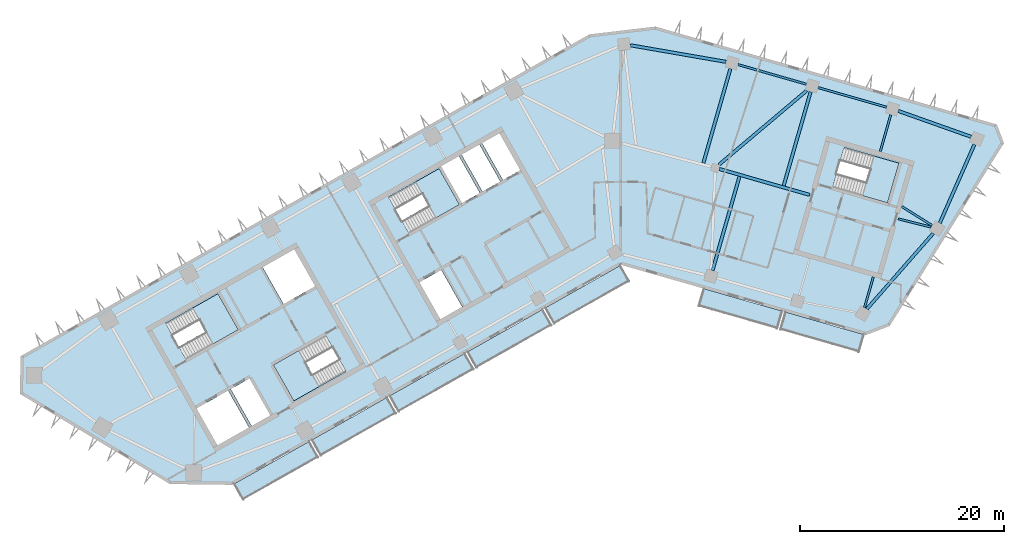
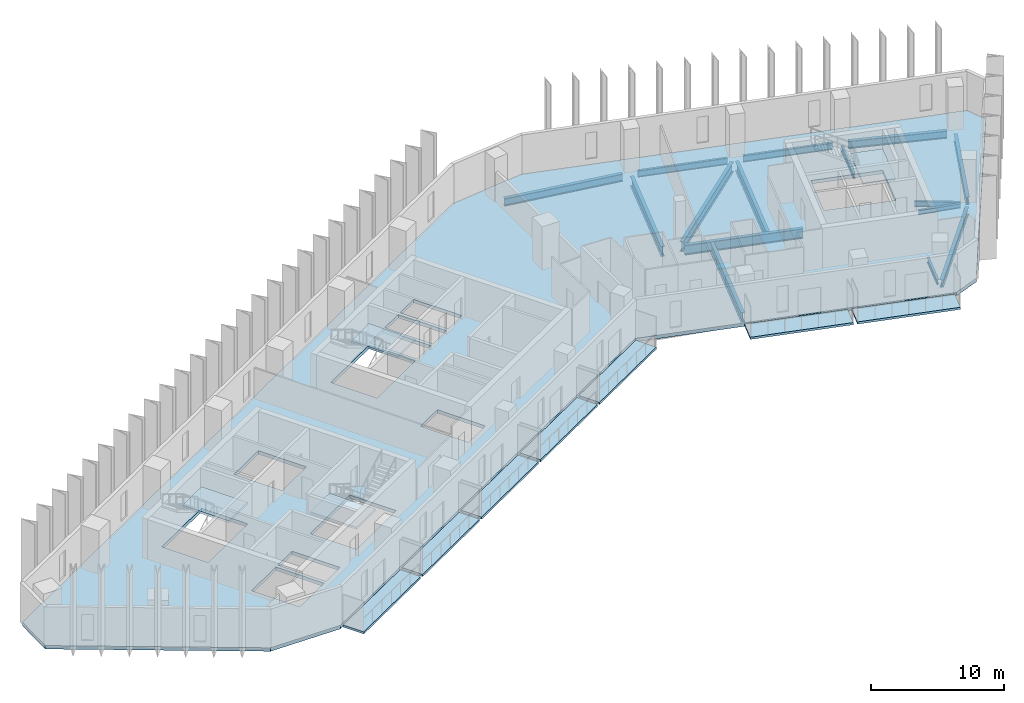
# One storey, part 2 of 10: 15 beams, 12 slabs, 4 elements without a shape of their own.
"""IFC4 building model written with IfcOpenShell, lengths in metres."""

from ifc_helpers import new_model, si_unit, direction, frame, origin, origin_2d, place, context, subcontext, project, spatial, polyline, i_section, outline, extrude, material, layer, layer_set, material_profile, profile_set, type_object, element, aggregate, save


model = new_model("IFC4")

# Units and contexts
model_context = context("Model", 3, precision=1e-05, world=origin(), true_north=direction((0.0, 1.0)))
body_context = subcontext(model_context, "Body", "Model", "MODEL_VIEW")
ifc_project = project(units=[si_unit("LENGTHUNIT", "METRE"), si_unit("AREAUNIT", "SQUARE_METRE"), si_unit("VOLUMEUNIT", "CUBIC_METRE"), si_unit("PLANEANGLEUNIT", "RADIAN"), si_unit("MASSUNIT", "GRAM", prefix="KILO")], contexts=[model_context])

# Site, building, storey
site_placement = place(None, origin())
site = spatial("IfcSite", under=ifc_project, at=site_placement, CompositionType="ELEMENT")
building_placement = place(site_placement, origin())
building = spatial("IfcBuilding", under=site, at=building_placement, Name="Binnacle Exchange Tower", CompositionType="ELEMENT")
storey_placement = place(building_placement, frame((0.0, 0.0, 178.89990234375)))
storey = spatial("IfcBuildingStorey", under=building, at=storey_placement, Name="L38", CompositionType="ELEMENT", Elevation=178.89990234375)

# Beams
ifc_material_1 = material(Name="Steel S355 (SHN355)", Category="steel")
ifc_material_profile_1 = material_profile(ifc_material_1, i_section(OverallWidth=0.201904296875, OverallDepth=0.612060546875, WebThickness=0.012939453125, FlangeThickness=0.02294921875, FilletRadius=0.02197265625, at=origin_2d()), Name="H 612x202x13x23")
ifc_profile_set_1 = profile_set([ifc_material_profile_1], Name="Steel S355 (SHN355)")
beam_type_1 = type_object("IfcBeamType", Name="Edge girder H 612x202x13x23 Steel S355 (SHN355)", PredefinedType="SPANDREL", material=ifc_profile_set_1)
for number, where, z_axis, x_axis, name in (
    (1, (18.16943359375, 65.54150390625, -0.6259765625), (-0.961255274252, 0.275659749916, 0.0), (-0.275659749916, -0.961255274252, 0.0), "S:BM:edge:L38:029"),
    (2, (26.02587890625, 63.288818359375, -0.6259765625), (-0.961267211469, 0.275618120149, 0.0), (-0.275618120149, -0.961267211469, 0.0), "S:BM:edge:L38:031"),
):
    element("IfcBeam", number, at=place(storey_placement, frame(where, z_axis=z_axis, x_axis=x_axis)), inside=storey, type_object=beam_type_1, Name=name, PredefinedType="SPANDREL", context=body_context, shape_type="SweptSolid", body=[
        extrude(i_section(OverallWidth=0.201904296875, OverallDepth=0.612060546875, WebThickness=0.012939453125, FlangeThickness=0.02294921875, FilletRadius=0.02197265625, at=origin_2d()), origin(), (0.0, 0.0, 1.0), 6.972900390625),
    ])
ifc_material_profile_2 = material_profile(ifc_material_1, i_section(OverallWidth=0.300048828125, OverallDepth=0.699951171875, WebThickness=0.012939453125, FlangeThickness=0.02392578125, FilletRadius=0.028076171875, at=origin_2d()), Name="H 700x300x13x24")
ifc_profile_set_2 = profile_set([ifc_material_profile_2], Name="Steel S355 (SHN355)")
beam_type_2 = type_object("IfcBeamType", Name="Edge girder H 700x300x13x24 Steel S355 (SHN355)", PredefinedType="SPANDREL", material=ifc_profile_set_2)
beam_1_placement = place(storey_placement, frame((31.234130859375, 51.94091796875, -0.669921875), z_axis=(0.403470856186, 0.914992496258, 0.0), x_axis=(-0.914992496258, 0.403470856186, 0.0)))
element("IfcBeam", 3, at=beam_1_placement, inside=storey, type_object=beam_type_2, Name="S:BM:edge:L38:032", PredefinedType="SPANDREL", context=body_context, shape_type="SweptSolid", body=[
    extrude(i_section(OverallWidth=0.300048828125, OverallDepth=0.699951171875, WebThickness=0.012939453125, FlangeThickness=0.02392578125, FilletRadius=0.028076171875, at=origin_2d()), origin(), (0.0, 0.0, 1.0), 8.412109375),
])
beam_2_placement = place(storey_placement, frame((34.30419921875, 60.38818359375, -0.669921875), z_axis=(-0.942327723458, 0.334691591771, 0.0), x_axis=(-0.334691591771, -0.942327723458, 0.0)))
element("IfcBeam", 4, at=beam_2_placement, inside=storey, type_object=beam_type_2, Name="S:BM:edge:L38:033", PredefinedType="SPANDREL", context=body_context, shape_type="SweptSolid", body=[
    extrude(i_section(OverallWidth=0.300048828125, OverallDepth=0.699951171875, WebThickness=0.012939453125, FlangeThickness=0.02392578125, FilletRadius=0.028076171875, at=origin_2d()), origin(), (0.0, 0.0, 1.0), 7.57177734375),
])
ifc_material_profile_3 = material_profile(ifc_material_1, i_section(OverallWidth=0.302001953125, OverallDepth=0.7080078125, WebThickness=0.014892578125, FlangeThickness=0.028076171875, FilletRadius=0.028076171875, at=origin_2d()), Name="H 708x302x15x28")
ifc_profile_set_3 = profile_set([ifc_material_profile_3], Name="Steel S355 (SHN355)")
beam_type_3 = type_object("IfcBeamType", Name="Edge girder H 708x302x15x28 Steel S355 (SHN355)", PredefinedType="SPANDREL", material=ifc_profile_set_3)
beam_3_placement = place(storey_placement, frame((10.29541015625, 67.73193359375, -0.673828125), z_axis=(-0.985309861954, 0.170776098841, 0.0), x_axis=(-0.170776098841, -0.985309861954, 0.0)))
element("IfcBeam", 5, at=beam_3_placement, inside=storey, type_object=beam_type_3, Name="S:BM:edge:L38:027", PredefinedType="SPANDREL", context=body_context, shape_type="SweptSolid", body=[
    extrude(i_section(OverallWidth=0.302001953125, OverallDepth=0.7080078125, WebThickness=0.014892578125, FlangeThickness=0.028076171875, FilletRadius=0.028076171875, at=origin_2d()), origin(), (0.0, 0.0, 1.0), 9.518310546875),
])
beam_4_placement = place(storey_placement, frame((24.09326171875, 43.5224609375, -0.673828125), z_axis=(0.659335841855, 0.751848553663, 0.0), x_axis=(-0.751848553663, 0.659335841855, 0.0)))
element("IfcBeam", 6, at=beam_4_placement, inside=storey, type_object=beam_type_3, Name="S:BM:edge:L38:030", PredefinedType="SPANDREL", context=body_context, shape_type="SweptSolid", body=[
    extrude(i_section(OverallWidth=0.302001953125, OverallDepth=0.7080078125, WebThickness=0.014892578125, FlangeThickness=0.028076171875, FilletRadius=0.028076171875, at=origin_2d()), origin(), (0.0, 0.0, 1.0), 9.851318359375),
])
ifc_material_profile_4 = material_profile(ifc_material_1, i_section(OverallWidth=0.199951171875, OverallDepth=0.449951171875, WebThickness=0.009033203125, FlangeThickness=0.013916015625, FilletRadius=0.01806640625, at=origin_2d()), Name="H 450x200x9x14")
ifc_profile_set_4 = profile_set([ifc_material_profile_4], Name="Steel S355 (SHN355)")
beam_type_4 = type_object("IfcBeamType", Name="Floor beam H 450x200x9x14 Steel S355 (SHN355)", PredefinedType="BEAM", material=ifc_profile_set_4)
beam_5_placement = place(storey_placement, frame((23.860595703125, 43.6572265625, -0.544921875), z_axis=(0.275637043779, 0.961261785414, 0.0), x_axis=(-0.961261785414, 0.275637043779, 0.0)))
element("IfcBeam", 7, at=beam_5_placement, inside=storey, type_object=beam_type_4, Name="S:BM:cross:L38:051", PredefinedType="BEAM", context=body_context, shape_type="SweptSolid", body=[
    extrude(i_section(OverallWidth=0.199951171875, OverallDepth=0.449951171875, WebThickness=0.009033203125, FlangeThickness=0.013916015625, FilletRadius=0.01806640625, at=origin_2d()), origin(), (0.0, 0.0, 1.0), 3.1328125),
])
ifc_material_profile_5 = material_profile(ifc_material_1, i_section(OverallWidth=0.199951171875, OverallDepth=0.5, WebThickness=0.010009765625, FlangeThickness=0.01611328125, FilletRadius=0.02001953125, at=origin_2d()), Name="H 500x200x10x16")
ifc_profile_set_5 = profile_set([ifc_material_profile_5], Name="Steel S355 (SHN355)")
beam_type_5 = type_object("IfcBeamType", Name="Floor beam H 500x200x10x16 Steel S355 (SHN355)", PredefinedType="BEAM", material=ifc_profile_set_5)
beam_6_placement = place(storey_placement, frame((26.437255859375, 62.546630859375, -0.56982421875), z_axis=(-0.275644746045, -0.961259576794, 0.0), x_axis=(0.961259576794, -0.275644746045, 0.0)))
element("IfcBeam", 8, at=beam_6_placement, inside=storey, type_object=beam_type_5, Name="S:BM:cross:L38:052", PredefinedType="BEAM", context=body_context, shape_type="SweptSolid", body=[
    extrude(i_section(OverallWidth=0.199951171875, OverallDepth=0.5, WebThickness=0.010009765625, FlangeThickness=0.01611328125, FilletRadius=0.02001953125, at=origin_2d()), origin(), (0.0, 0.0, 1.0), 3.735107421875),
])
beam_7_placement = place(storey_placement, frame((30.480712890625, 51.704345703125, -0.56982421875), z_axis=(-0.848084620748, 0.529860808186, 0.0), x_axis=(-0.529860808186, -0.848084620748, 0.0)))
element("IfcBeam", 9, at=beam_7_placement, inside=storey, type_object=beam_type_5, Name="S:BM:cross:L38:053", PredefinedType="BEAM", context=body_context, shape_type="SweptSolid", body=[
    extrude(i_section(OverallWidth=0.199951171875, OverallDepth=0.5, WebThickness=0.010009765625, FlangeThickness=0.01611328125, FilletRadius=0.02001953125, at=origin_2d()), origin(), (0.0, 0.0, 1.0), 3.495361328125),
])
ifc_material_profile_6 = material_profile(ifc_material_1, i_section(OverallWidth=0.302001953125, OverallDepth=0.912109375, WebThickness=0.01806640625, FlangeThickness=0.033935546875, FilletRadius=0.028076171875, at=origin_2d()), Name="H 912x302x18x34")
ifc_profile_set_6 = profile_set([ifc_material_profile_6], Name="Steel S355 (SHN355)")
beam_type_6 = type_object("IfcBeamType", Name="Floor beam H 912x302x18x34 Steel S355 (SHN355)", PredefinedType="BEAM", material=ifc_profile_set_6)
beam_8_placement = place(storey_placement, frame((8.974853515625, 47.299072265625, -0.77587890625), z_axis=(0.275642748758, 0.961260149521, 0.0), x_axis=(-0.961260149521, 0.275642748758, 0.0)))
element("IfcBeam", 10, at=beam_8_placement, inside=storey, type_object=beam_type_6, Name="S:BM:cross:L38:047", PredefinedType="BEAM", context=body_context, shape_type="SweptSolid", body=[
    extrude(i_section(OverallWidth=0.302001953125, OverallDepth=0.912109375, WebThickness=0.01806640625, FlangeThickness=0.033935546875, FilletRadius=0.028076171875, at=origin_2d()), origin(), (0.0, 0.0, 1.0), 9.585205078125),
])
beam_9_placement = place(storey_placement, frame((10.724609375, 67.05224609375, -0.77587890625), z_axis=(-0.275623285325, -0.961265730475, 0.0), x_axis=(0.961265730475, -0.275623285325, 0.0)))
element("IfcBeam", 11, at=beam_9_placement, inside=storey, type_object=beam_type_6, Name="S:BM:cross:L38:048", PredefinedType="BEAM", context=body_context, shape_type="SweptSolid", body=[
    extrude(i_section(OverallWidth=0.302001953125, OverallDepth=0.912109375, WebThickness=0.01806640625, FlangeThickness=0.033935546875, FilletRadius=0.028076171875, at=origin_2d()), origin(), (0.0, 0.0, 1.0), 9.61328125),
])
beam_10_placement = place(storey_placement, frame((18.580810546875, 64.79931640625, -0.77587890625), z_axis=(-0.275625961623, -0.961264963098, 0.0), x_axis=(0.961264963098, -0.275625961623, 0.0)))
element("IfcBeam", 12, at=beam_10_placement, inside=storey, type_object=beam_type_6, Name="S:BM:cross:L38:050", PredefinedType="BEAM", context=body_context, shape_type="SweptSolid", body=[
    extrude(i_section(OverallWidth=0.302001953125, OverallDepth=0.912109375, WebThickness=0.01806640625, FlangeThickness=0.033935546875, FilletRadius=0.028076171875, at=origin_2d()), origin(), (0.0, 0.0, 1.0), 9.5849609375),
])
ifc_material_profile_7 = material_profile(ifc_material_1, i_section(OverallWidth=0.199951171875, OverallDepth=0.39990234375, WebThickness=0.008056640625, FlangeThickness=0.012939453125, FilletRadius=0.01611328125, at=origin_2d()), Name="H 400x200x8x13")
ifc_profile_set_7 = profile_set([ifc_material_profile_7], Name="Steel S355 (SHN355)")
beam_type_7 = type_object("IfcBeamType", Name="Spine girder H 400x200x8x13 Steel S355 (SHN355)", PredefinedType="BEAM", material=ifc_profile_set_7)
beam_11_placement = place(storey_placement, frame((27.17138671875, 52.35400390625, -0.52001953125), z_axis=(0.969342999561, -0.245711516217, 0.0), x_axis=(0.245711516217, 0.969342999561, 0.0)))
element("IfcBeam", 13, at=beam_11_placement, inside=storey, type_object=beam_type_7, Name="S:BM:spine:L38:010", PredefinedType="BEAM", context=body_context, shape_type="SweptSolid", body=[
    extrude(i_section(OverallWidth=0.199951171875, OverallDepth=0.39990234375, WebThickness=0.008056640625, FlangeThickness=0.012939453125, FilletRadius=0.01611328125, at=origin_2d()), origin(), (0.0, 0.0, 1.0), 3.30859375),
])
ifc_material_profile_8 = material_profile(ifc_material_1, i_section(OverallWidth=0.302001953125, OverallDepth=0.912109375, WebThickness=0.01806640625, FlangeThickness=0.033935546875, FilletRadius=0.028076171875, at=origin_2d()), Name="H 912x302x18x34")
ifc_profile_set_8 = profile_set([ifc_material_profile_8], Name="Steel S355 (SHN355)")
beam_type_8 = type_object("IfcBeamType", Name="Spine girder H 912x302x18x34 Steel S355 (SHN355)", PredefinedType="BEAM", material=ifc_profile_set_8)
beam_12_placement = place(storey_placement, frame((9.60888671875, 57.660888671875, -0.77587890625), z_axis=(0.764057522707, 0.645148124073, 0.0), x_axis=(-0.645148124073, 0.764057522707, 0.0)))
element("IfcBeam", 14, at=beam_12_placement, inside=storey, type_object=beam_type_8, Name="S:BM:spine:L38:008", PredefinedType="BEAM", context=body_context, shape_type="SweptSolid", body=[
    extrude(i_section(OverallWidth=0.302001953125, OverallDepth=0.912109375, WebThickness=0.01806640625, FlangeThickness=0.033935546875, FilletRadius=0.028076171875, at=origin_2d()), origin(), (0.0, 0.0, 1.0), 11.237060546875),
])
beam_13_placement = place(storey_placement, frame((9.62548828125, 57.239990234375, -0.77587890625), z_axis=(0.961259511383, -0.275644974153, 0.0), x_axis=(0.275644974153, 0.961259511383, 0.0)))
element("IfcBeam", 15, at=beam_13_placement, inside=storey, type_object=beam_type_8, Name="S:BM:spine:L38:009", PredefinedType="BEAM", context=body_context, shape_type="SweptSolid", body=[
    extrude(i_section(OverallWidth=0.302001953125, OverallDepth=0.912109375, WebThickness=0.01806640625, FlangeThickness=0.033935546875, FilletRadius=0.028076171875, at=origin_2d()), origin(), (0.0, 0.0, 1.0), 9.213134765625),
])

# Slabs
ifc_material_2 = material(Name="Concrete C35/45", Category="concrete")
ifc_layer_1 = layer(ifc_material_2, 0.199951171875)
ifc_layer_set_1 = layer_set([ifc_layer_1], Name="BALCONY SLAB 200")
slab_type_1 = type_object("IfcSlabType", Name="BALCONY SLAB 200", PredefinedType="FLOOR", material=ifc_layer_set_1)
slab_1_placement = place(storey_placement, frame((0.0, 0.0, -0.199951171875)))
element("IfcSlab", 16, at=slab_1_placement, inside=storey, type_object=slab_type_1, Name="Balcony BA-G01-00 L38", PredefinedType="FLOOR", context=body_context, shape_type="SweptSolid", body=[
    extrude(outline(polyline([(-37.893310546875, 26.388671875), (-30.534912109375, 30.5517578125), (-29.648681640625, 28.985107421875), (-37.007080078125, 24.822021484375), (-37.893310546875, 26.388671875)])), origin(), (0.0, 0.0, 1.0), 0.199951171875),
])
slab_2_placement = place(storey_placement, frame((0.0, 0.0, -0.199951171875)))
element("IfcSlab", 17, at=slab_2_placement, inside=storey, type_object=slab_type_1, Name="Balcony BA-G01-01 L38", PredefinedType="FLOOR", context=body_context, shape_type="SweptSolid", body=[
    extrude(outline(polyline([(-30.27392578125, 30.699462890625), (-22.915283203125, 34.86279296875), (-22.029052734375, 33.296142578125), (-29.387451171875, 29.1328125), (-30.27392578125, 30.699462890625)])), origin(), (0.0, 0.0, 1.0), 0.199951171875),
])
slab_3_placement = place(storey_placement, frame((0.0, 0.0, -0.199951171875)))
element("IfcSlab", 18, at=slab_3_placement, inside=storey, type_object=slab_type_1, Name="Balcony BA-G01-02 L38", PredefinedType="FLOOR", context=body_context, shape_type="SweptSolid", body=[
    extrude(outline(polyline([(-22.654296875, 35.010498046875), (-15.2958984375, 39.173583984375), (-14.409423828125, 37.607177734375), (-21.767822265625, 33.44384765625), (-22.654296875, 35.010498046875)])), origin(), (0.0, 0.0, 1.0), 0.199951171875),
])
slab_4_placement = place(storey_placement, frame((0.0, 0.0, -0.199951171875)))
element("IfcSlab", 19, at=slab_4_placement, inside=storey, type_object=slab_type_1, Name="Balcony BA-G01-03 L38", PredefinedType="FLOOR", context=body_context, shape_type="SweptSolid", body=[
    extrude(outline(polyline([(-15.03466796875, 39.3212890625), (-7.67626953125, 43.484619140625), (-6.789794921875, 41.91796875), (-14.148193359375, 37.7548828125), (-15.03466796875, 39.3212890625)])), origin(), (0.0, 0.0, 1.0), 0.199951171875),
])
slab_5_placement = place(storey_placement, frame((0.0, 0.0, -0.199951171875)))
element("IfcSlab", 20, at=slab_5_placement, inside=storey, type_object=slab_type_1, Name="Balcony BA-G01-04 L38", PredefinedType="FLOOR", context=body_context, shape_type="SweptSolid", body=[
    extrude(outline(polyline([(-7.4150390625, 43.63232421875), (-0.056640625, 47.795654296875), (0.82958984375, 46.22900390625), (-6.52880859375, 42.06591796875), (-7.4150390625, 43.63232421875)])), origin(), (0.0, 0.0, 1.0), 0.199951171875),
])
slab_6_placement = place(storey_placement, frame((0.0, 0.0, -0.199951171875)))
element("IfcSlab", 21, at=slab_6_placement, inside=storey, type_object=slab_type_1, Name="Balcony BA-G02-01 L38", PredefinedType="FLOOR", context=body_context, shape_type="SweptSolid", body=[
    extrude(outline(polyline([(8.100830078125, 45.52099609375), (15.810546875, 43.310302734375), (15.314453125, 41.580078125), (7.604736328125, 43.790771484375), (8.100830078125, 45.52099609375)])), origin(), (0.0, 0.0, 1.0), 0.199951171875),
])
slab_7_placement = place(storey_placement, frame((0.0, 0.0, -0.199951171875)))
element("IfcSlab", 22, at=slab_7_placement, inside=storey, type_object=slab_type_1, Name="Balcony BA-G02-02 L38", PredefinedType="FLOOR", context=body_context, shape_type="SweptSolid", body=[
    extrude(outline(polyline([(16.09912109375, 43.2275390625), (23.80859375, 41.016845703125), (23.3125, 39.28662109375), (15.602783203125, 41.497314453125), (16.09912109375, 43.2275390625)])), origin(), (0.0, 0.0, 1.0), 0.199951171875),
])
ifc_layer_2 = layer(ifc_material_2, 0.320068359375)
ifc_layer_set_2 = layer_set([ifc_layer_2], Name="Floor slab 320 Concrete C35/45")
slab_type_2 = type_object("IfcSlabType", Name="Floor slab 320 Concrete C35/45", PredefinedType="FLOOR", material=ifc_layer_set_2)
slab_8_placement = place(storey_placement, frame((0.0, 0.0, -0.31982421875)))
element("IfcSlab", 23, at=slab_8_placement, inside=storey, type_object=slab_type_2, Name="S:SL:L38:01", PredefinedType="FLOOR", context=body_context, shape_type="SweptSolid", body=[
    extrude(outline(polyline([(-58.716064453125, 35.280029296875), (-58.669921875, 38.80615234375), (-3.046142578125, 70.276611328125), (3.364501953125, 71.035400390625), (36.71240234375, 61.472900390625), (37.359375, 59.787353515625), (26.23095703125, 41.978515625), (23.994140625, 41.119873046875), (0.0, 48.0), (-38.097900390625, 26.4453125), (-44.14404296875, 26.5244140625), (-58.716064453125, 35.280029296875)]), holes=[polyline([(-38.4794921875, 35.529296875), (-41.61279296875, 33.756591796875), (-39.544677734375, 30.10107421875), (-36.411376953125, 31.873779296875), (-38.4794921875, 35.529296875)]), polyline([(-36.390625, 36.711181640625), (-38.21826171875, 35.677001953125), (-36.150146484375, 32.021484375), (-34.322509765625, 33.0556640625), (-36.390625, 36.711181640625)]), polyline([(-32.04638671875, 34.515625), (-26.9287109375, 37.4111328125), (-28.923095703125, 40.93603515625), (-34.040771484375, 38.04052734375), (-32.04638671875, 34.515625)]), polyline([(-37.486572265625, 41.4912109375), (-39.480712890625, 45.01611328125), (-44.598388671875, 42.12060546875), (-42.604248046875, 38.595703125), (-37.486572265625, 41.4912109375)]), polyline([(-29.914306640625, 45.775390625), (-31.982666015625, 49.430908203125), (-35.115966796875, 47.657958984375), (-33.047607421875, 44.00244140625), (-29.914306640625, 45.775390625)]), polyline([(-17.81689453125, 57.27294921875), (-22.760498046875, 54.47607421875), (-20.76611328125, 50.950927734375), (-15.822509765625, 53.748046875), (-17.81689453125, 57.27294921875)]), polyline([(-15.53076171875, 43.6875), (-17.598876953125, 47.343017578125), (-19.77490234375, 46.11181640625), (-17.70654296875, 42.456298828125), (-15.53076171875, 43.6875)]), polyline([(-13.82080078125, 54.880615234375), (-15.888916015625, 58.5361328125), (-17.629638671875, 57.55126953125), (-15.5615234375, 53.895751953125), (-13.82080078125, 54.880615234375)]), polyline([(27.227783203125, 57.810302734375), (21.864013671875, 59.348388671875), (20.74755859375, 55.455078125), (26.111328125, 53.9169921875), (27.227783203125, 57.810302734375)]), polyline([(-11.819091796875, 56.01318359375), (-13.88720703125, 59.668701171875), (-15.6279296875, 58.683837890625), (-13.559814453125, 55.0283203125), (-11.819091796875, 56.01318359375)]), polyline([(-9.817138671875, 57.145751953125), (-11.885498046875, 60.80126953125), (-13.626220703125, 59.81640625), (-11.557861328125, 56.160888671875), (-9.817138671875, 57.145751953125)])]), origin(), (0.0, 0.0, 1.0), 0.31982421875),
])

# Stair, slab
stair_type = type_object("IfcStairType", Name="STAIR 24 RISERS 167", PredefinedType="HALF_TURN_STAIR", material=ifc_material_2)
stair_1_placement = place(storey_placement, origin())
stair_1 = element("IfcStair", 24, at=stair_1_placement, inside=storey, type_object=stair_type, Name="L38 Escape stair A1", PredefinedType="HALF_TURN_STAIR")
ifc_layer_3 = layer(ifc_material_2, 0.199951171875)
ifc_layer_set_3 = layer_set([ifc_layer_3], Name="STAIR LANDING 200")
slab_type_3 = type_object("IfcSlabType", Name="STAIR LANDING 200", PredefinedType="LANDING", material=ifc_layer_set_3)
slab_9_placement = place(storey_placement, frame((0.0, 0.0, 1.800048828125)))
slab_9 = element("IfcSlab", 25, at=slab_9_placement, type_object=slab_type_3, Name="STA1 landing 1", PredefinedType="LANDING", context=body_context, shape_type="SweptSolid", body=[
    extrude(outline(polyline([(-39.958251953125, 40.0927734375), (-37.486572265625, 41.4912109375), (-39.48095703125, 45.01611328125), (-41.95263671875, 43.61767578125), (-39.958251953125, 40.0927734375)])), origin(), (0.0, 0.0, 1.0), 0.199951171875),
])
aggregate(stair_1, [slab_9])

stair_2_placement = place(storey_placement, origin())
stair_2 = element("IfcStair", 26, at=stair_2_placement, inside=storey, type_object=stair_type, Name="L38 Escape stair A2", PredefinedType="HALF_TURN_STAIR")
slab_10_placement = place(storey_placement, frame((0.0, 0.0, 1.800048828125)))
slab_10 = element("IfcSlab", 27, at=slab_10_placement, type_object=slab_type_3, Name="STA2 landing 1", PredefinedType="LANDING", context=body_context, shape_type="SweptSolid", body=[
    extrude(outline(polyline([(-31.56884765625, 39.439208984375), (-34.040771484375, 38.04052734375), (-32.04638671875, 34.515625), (-29.574462890625, 35.9140625), (-31.56884765625, 39.439208984375)])), origin(), (0.0, 0.0, 1.0), 0.199951171875),
])
aggregate(stair_2, [slab_10])

stair_3_placement = place(storey_placement, origin())
stair_3 = element("IfcStair", 28, at=stair_3_placement, inside=storey, type_object=stair_type, Name="L38 Escape stair C1", PredefinedType="HALF_TURN_STAIR")
slab_11_placement = place(storey_placement, frame((0.0, 0.0, 1.800048828125)))
slab_11 = element("IfcSlab", 29, at=slab_11_placement, type_object=slab_type_3, Name="STC1 landing 1", PredefinedType="LANDING", context=body_context, shape_type="SweptSolid", body=[
    extrude(outline(polyline([(-18.120361328125, 52.447998046875), (-15.822509765625, 53.748046875), (-17.81689453125, 57.27294921875), (-20.11474609375, 55.972900390625), (-18.120361328125, 52.447998046875)])), origin(), (0.0, 0.0, 1.0), 0.199951171875),
])
aggregate(stair_3, [slab_11])

stair_4_placement = place(storey_placement, origin())
stair_4 = element("IfcStair", 30, at=stair_4_placement, inside=storey, type_object=stair_type, Name="L38 Escape stair D1", PredefinedType="HALF_TURN_STAIR")
slab_12_placement = place(storey_placement, frame((0.0, 0.0, 1.800048828125)))
slab_12 = element("IfcSlab", 31, at=slab_12_placement, type_object=slab_type_3, Name="STD1 landing 1", PredefinedType="LANDING", context=body_context, shape_type="SweptSolid", body=[
    extrude(outline(polyline([(23.669677734375, 54.6171875), (26.111328125, 53.917236328125), (27.227783203125, 57.810302734375), (24.7861328125, 58.51025390625), (23.669677734375, 54.6171875)])), origin(), (0.0, 0.0, 1.0), 0.199951171875),
])
aggregate(stair_4, [slab_12])

save(model, "model.ifc")
